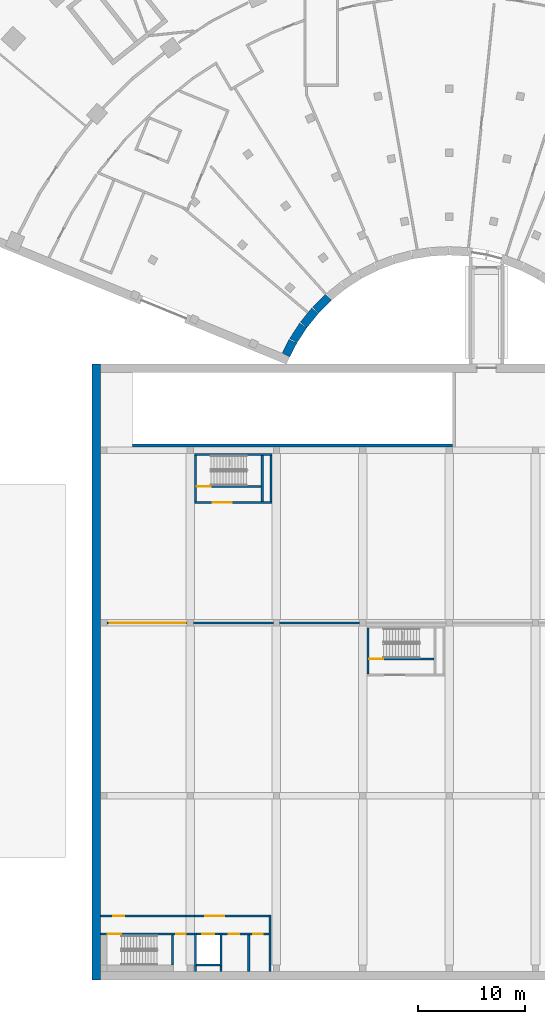
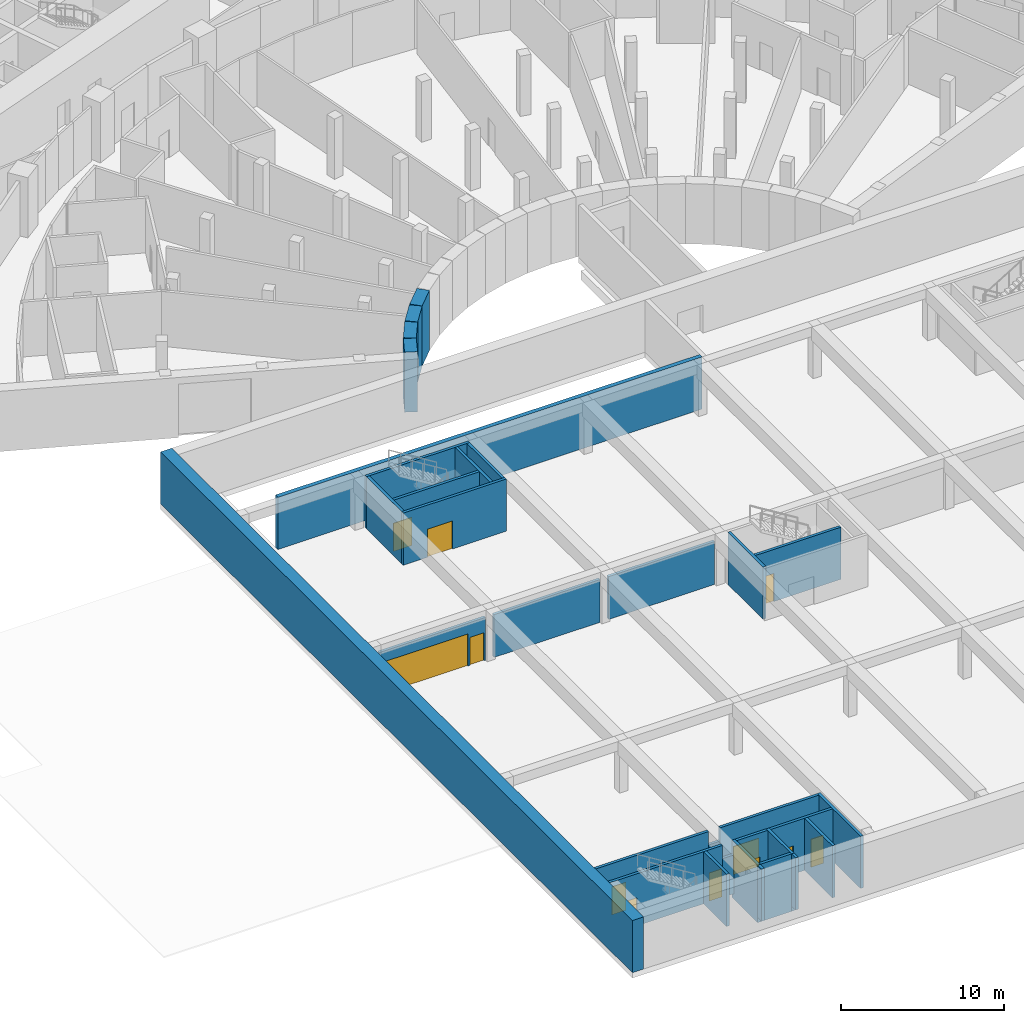
# One storey, part 3 of 23: 32 walls, 12 doors, 12 openings.
"""IFC4 building model written with IfcOpenShell, lengths in metres."""

from ifc_helpers import new_model, si_unit, direction, frame, frame_2d, origin, place, context, subcontext, project, spatial, rectangle, extrude, material, layer, layer_set, type_object, element, fill, save


model = new_model("IFC4")

# Units and contexts
model_context = context("Model", 3, precision=1e-05, world=origin(), true_north=direction((0.0, 1.0)))
body_context = subcontext(model_context, "Body", "Model", "MODEL_VIEW")
ifc_project = project(units=[si_unit("LENGTHUNIT", "METRE"), si_unit("AREAUNIT", "SQUARE_METRE"), si_unit("VOLUMEUNIT", "CUBIC_METRE"), si_unit("PLANEANGLEUNIT", "RADIAN"), si_unit("MASSUNIT", "GRAM", prefix="KILO")], contexts=[model_context])

# Site, building, storey
site_placement = place(None, origin())
site = spatial("IfcSite", under=ifc_project, at=site_placement, CompositionType="ELEMENT")
building_placement = place(site_placement, origin())
building = spatial("IfcBuilding", under=site, at=building_placement, Name="Stone Belt Terrace Tower", CompositionType="ELEMENT")
storey_placement = place(building_placement, frame((0.0, 0.0, -4.5)))
storey = spatial("IfcBuildingStorey", under=building, at=storey_placement, Name="B1", CompositionType="ELEMENT", Elevation=-4.5)

# Walls
ifc_material_1 = material(Name="Concrete B30", Category="concrete")
ifc_layer_1 = layer(ifc_material_1, 0.800048828125)
ifc_layer_set_1 = layer_set([ifc_layer_1], Name="Basement wall 800 B30")
wall_type_1 = type_object("IfcWallType", Name="Basement wall 800 B30", PredefinedType="SHEAR", material=ifc_layer_set_1)
wall_1_placement = place(storey_placement, frame((-15.30029296875, 7.13427734375, 0.0), z_axis=(0.0, 0.0, 1.0), x_axis=(0.450505301603, 0.892773752542, 0.0)))
element("IfcWall", 1, at=wall_1_placement, inside=storey, type_object=wall_type_1, Name="Basement wall B1 1", PredefinedType="SHEAR", context=body_context, shape_type="SweptSolid", body=[
    extrude(rectangle(XDim=1.452392578125, YDim=0.800048828125, at=frame_2d((0.72607421875, 0.0))), origin(), (0.0, 0.0, 1.0), 4.5),
])
wall_2_placement = place(storey_placement, frame((-14.62451171875, 8.468505859375, 0.0), z_axis=(0.0, 0.0, 1.0), x_axis=(0.544739789937, 0.838605128329, 0.0)))
element("IfcWall", 2, at=wall_2_placement, inside=storey, type_object=wall_type_1, Name="Basement wall B1 2", PredefinedType="SHEAR", context=body_context, shape_type="SweptSolid", body=[
    extrude(rectangle(XDim=1.726318359375, YDim=0.800048828125, at=frame_2d((0.86328125, 0.0))), origin(), (0.0, 0.0, 1.0), 4.5),
])
for number, where, z_axis, x_axis, name in (
    (3, (-13.65966796875, 9.9501953125, 0.0), (0.0, 0.0, 1.0), (0.629303947211, 0.777159277127, 0.0), "Basement wall B1 3"),
    (4, (-12.544677734375, 11.323486328125, 0.0), (0.0, 0.0, 1.0), (0.707106781187, 0.707106781187, 0.0), "Basement wall B1 4"),
):
    element("IfcWall", number, at=place(storey_placement, frame(where, z_axis=z_axis, x_axis=x_axis)), inside=storey, type_object=wall_type_1, Name=name, PredefinedType="SHEAR", context=body_context, shape_type="SweptSolid", body=[
        extrude(rectangle(XDim=1.72705078125, YDim=0.800048828125, at=frame_2d((0.863525390625, 0.0))), origin(), (0.0, 0.0, 1.0), 4.5),
    ])
ifc_layer_2 = layer(ifc_material_1, 0.199951171875)
ifc_layer_set_2 = layer_set([ifc_layer_2], Name="Car park core wall 200 variant D")
wall_type_2 = type_object("IfcWallType", Name="Car park core wall 200 variant D", PredefinedType="SOLIDWALL", material=ifc_layer_set_2)
wall_3_placement = place(storey_placement, frame((-25.93994140625, -50.10009765625, 0.0), z_axis=(0.0, 0.0, 1.0), x_axis=(0.0, 1.0, 0.0)))
element("IfcWall", 5, at=wall_3_placement, inside=storey, type_object=wall_type_2, Name="Car park stair 1 wall", PredefinedType="SOLIDWALL", context=body_context, shape_type="SweptSolid", body=[
    extrude(rectangle(XDim=2.800048828125, YDim=0.199951171875, at=frame_2d((1.39990234375, 0.0))), origin(), (0.0, 0.0, 1.0), 3.89990234375),
])

# Wall, openings, doors
wall_4_placement = place(storey_placement, frame((-32.699951171875, -47.199951171875, 0.0), z_axis=(0.0, 0.0, 1.0), x_axis=(1.0, 0.0, 0.0)))
wall_4 = element("IfcWall", 6, at=wall_4_placement, inside=storey, type_object=wall_type_2, Name="Car park core 1 wall", PredefinedType="SOLIDWALL", context=body_context, shape_type="SweptSolid", body=[
    extrude(rectangle(XDim=8.0, YDim=0.199951171875, at=frame_2d((4.0, 0.0))), origin(), (0.0, 0.0, 1.0), 3.89990234375),
])
opening_1_placement = place(wall_4_placement, frame((0.64990234375, 0.0, 0.0)))
opening_1 = element("IfcOpeningElement", 7, at=opening_1_placement, cuts=wall_4, Name="Opening B1-S06", PredefinedType="OPENING", context=body_context, shape_type="SweptSolid", body=[
    extrude(rectangle(XDim=1.300048828125, YDim=2.10009765625, at=frame_2d((0.64990234375, 1.050048828125))), frame((0.0, 0.10986328125, 0.0), z_axis=(0.0, -1.0, 0.0), x_axis=(1.0, 0.0, 0.0)), (0.0, 0.0, 1.0), 0.219970703125),
])
opening_2_placement = place(wall_4_placement, frame((7.10009765625, 0.0, 0.0)))
opening_2 = element("IfcOpeningElement", 8, at=opening_2_placement, cuts=wall_4, Name="Opening B1-S07", PredefinedType="OPENING", context=body_context, shape_type="SweptSolid", body=[
    extrude(rectangle(XDim=0.89990234375, YDim=2.10009765625, at=frame_2d((0.449951171875, 1.050048828125))), frame((0.0, 0.10986328125, 0.0), z_axis=(0.0, -1.0, 0.0), x_axis=(1.0, 0.0, 0.0)), (0.0, 0.0, 1.0), 0.219970703125),
])
ifc_material_2 = material(Name="Steel door leaf", Category="steel")
door_type_1 = type_object("IfcDoorType", Name="Core door 1300 fire rated", OperationType="NOTDEFINED", PredefinedType="DOOR", material=ifc_material_2)
door_1_placement = place(opening_1_placement, origin())
door_1 = element("IfcDoor", 9, at=door_1_placement, inside=storey, type_object=door_type_1, Name="Stair 1 door", OperationType="SINGLE_SWING_LEFT", OverallHeight=2.10009765625, OverallWidth=1.300048828125, PredefinedType="DOOR", context=body_context, shape_type="SweptSolid", body=[
    extrude(rectangle(XDim=1.300048828125, YDim=2.10009765625, at=frame_2d((0.64990234375, 1.050048828125))), frame((0.0, 0.02490234375, 0.0), z_axis=(0.0, -1.0, 0.0), x_axis=(1.0, 0.0, 0.0)), (0.0, 0.0, 1.0), 0.050048828125),
])
fill(opening_1, door_1)
door_type_2 = type_object("IfcDoorType", Name="Core door 900 fire rated", OperationType="NOTDEFINED", PredefinedType="DOOR", material=ifc_material_2)
door_2_placement = place(opening_2_placement, origin())
door_2 = element("IfcDoor", 10, at=door_2_placement, inside=storey, type_object=door_type_2, Name="Riser room 1 door", OperationType="SINGLE_SWING_RIGHT", OverallHeight=2.10009765625, OverallWidth=0.89990234375, PredefinedType="DOOR", context=body_context, shape_type="SweptSolid", body=[
    extrude(rectangle(XDim=0.89990234375, YDim=2.10009765625, at=frame_2d((0.449951171875, 1.050048828125))), frame((0.0, 0.02490234375, 0.0), z_axis=(0.0, -1.0, 0.0), x_axis=(1.0, 0.0, 0.0)), (0.0, 0.0, 1.0), 0.050048828125),
])
fill(opening_2, door_2)

wall_5_placement = place(storey_placement, frame((-21.300048828125, -47.199951171875, 0.0), z_axis=(0.0, 0.0, 1.0), x_axis=(1.0, 0.0, 0.0)))
wall_5 = element("IfcWall", 11, at=wall_5_placement, inside=storey, type_object=wall_type_2, Name="Car park core 1 wall", PredefinedType="SOLIDWALL", context=body_context, shape_type="SweptSolid", body=[
    extrude(rectangle(XDim=4.400146484375, YDim=0.199951171875, at=frame_2d((2.2001953125, 0.0))), origin(), (0.0, 0.0, 1.0), 3.89990234375),
])
opening_3_placement = place(wall_5_placement, frame((0.60009765625, 0.0, 0.0)))
opening_3 = element("IfcOpeningElement", 12, at=opening_3_placement, cuts=wall_5, Name="Opening B1-S09", PredefinedType="OPENING", context=body_context, shape_type="SweptSolid", body=[
    extrude(rectangle(XDim=1.0, YDim=2.10009765625, at=frame_2d((0.5, 1.050048828125))), frame((0.0, 0.10986328125, 0.0), z_axis=(0.0, -1.0, 0.0), x_axis=(1.0, 0.0, 0.0)), (0.0, 0.0, 1.0), 0.219970703125),
])
opening_4_placement = place(wall_5_placement, frame((2.89990234375, 0.0, 0.0)))
opening_4 = element("IfcOpeningElement", 13, at=opening_4_placement, cuts=wall_5, Name="Opening B1-S10", PredefinedType="OPENING", context=body_context, shape_type="SweptSolid", body=[
    extrude(rectangle(XDim=0.89990234375, YDim=2.10009765625, at=frame_2d((0.449951171875, 1.050048828125))), frame((0.0, 0.10986328125, 0.0), z_axis=(0.0, -1.0, 0.0), x_axis=(1.0, 0.0, 0.0)), (0.0, 0.0, 1.0), 0.219970703125),
])
door_type_3 = type_object("IfcDoorType", Name="Core door 1000 fire rated", OperationType="NOTDEFINED", PredefinedType="DOOR", material=ifc_material_2)
door_3_placement = place(opening_3_placement, origin())
door_3 = element("IfcDoor", 14, at=door_3_placement, inside=storey, type_object=door_type_3, Name="Accessible WC 1 door", OperationType="SINGLE_SWING_LEFT", OverallHeight=2.10009765625, OverallWidth=1.0, PredefinedType="DOOR", context=body_context, shape_type="SweptSolid", body=[
    extrude(rectangle(XDim=1.0, YDim=2.10009765625, at=frame_2d((0.5, 1.050048828125))), frame((0.0, 0.02490234375, 0.0), z_axis=(0.0, -1.0, 0.0), x_axis=(1.0, 0.0, 0.0)), (0.0, 0.0, 1.0), 0.050048828125),
])
fill(opening_3, door_3)
door_4_placement = place(opening_4_placement, origin())
door_4 = element("IfcDoor", 15, at=door_4_placement, inside=storey, type_object=door_type_2, Name="Equipment store 1 door", OperationType="SINGLE_SWING_RIGHT", OverallHeight=2.10009765625, OverallWidth=0.89990234375, PredefinedType="DOOR", context=body_context, shape_type="SweptSolid", body=[
    extrude(rectangle(XDim=0.89990234375, YDim=2.10009765625, at=frame_2d((0.449951171875, 1.050048828125))), frame((0.0, 0.02490234375, 0.0), z_axis=(0.0, -1.0, 0.0), x_axis=(1.0, 0.0, 0.0)), (0.0, 0.0, 1.0), 0.050048828125),
])
fill(opening_4, door_4)

# Walls
for number, where, z_axis, x_axis, name in (
    (16, (-23.800048828125, -50.699951171875, 0.0), (0.0, 0.0, 1.0), (0.0, 1.0, 0.0), "Car park core 1 wall"),
    (17, (-21.39990234375, -50.699951171875, 0.0), (0.0, 0.0, 1.0), (0.0, 1.0, 0.0), "Car park core 1 wall"),
):
    element("IfcWall", number, at=place(storey_placement, frame(where, z_axis=z_axis, x_axis=x_axis)), inside=storey, type_object=wall_type_2, Name=name, PredefinedType="SOLIDWALL", context=body_context, shape_type="SweptSolid", body=[
        extrude(rectangle(XDim=0.5, YDim=0.199951171875, at=frame_2d((0.25, 0.0))), origin(), (0.0, 0.0, 1.0), 3.89990234375),
    ])
wall_6_placement = place(storey_placement, frame((-16.800048828125, -50.699951171875, 0.0), z_axis=(0.0, 0.0, 1.0), x_axis=(0.0, 1.0, 0.0)))
element("IfcWall", 18, at=wall_6_placement, inside=storey, type_object=wall_type_2, Name="Car park core 1 wall", PredefinedType="SOLIDWALL", context=body_context, shape_type="SweptSolid", body=[
    extrude(rectangle(XDim=5.300048828125, YDim=0.199951171875, at=frame_2d((2.64990234375, 0.0))), origin(), (0.0, 0.0, 1.0), 3.89990234375),
])

# Wall, opening, door
wall_7_placement = place(storey_placement, frame((-32.699951171875, -45.5, 0.0), z_axis=(0.0, 0.0, 1.0), x_axis=(1.0, 0.0, 0.0)))
wall_7 = element("IfcWall", 19, at=wall_7_placement, inside=storey, type_object=wall_type_2, Name="Car park core 1 front wall", PredefinedType="SOLIDWALL", context=body_context, shape_type="SweptSolid", body=[
    extrude(rectangle(XDim=8.0, YDim=0.199951171875, at=frame_2d((4.0, 0.0))), origin(), (0.0, 0.0, 1.0), 3.89990234375),
])
opening_5_placement = place(wall_7_placement, frame((1.199951171875, 0.0, 0.0)))
opening_5 = element("IfcOpeningElement", 20, at=opening_5_placement, cuts=wall_7, Name="Opening B1-S12", PredefinedType="OPENING", context=body_context, shape_type="SweptSolid", body=[
    extrude(rectangle(XDim=1.0, YDim=2.10009765625, at=frame_2d((0.5, 1.050048828125))), frame((0.0, 0.10986328125, 0.0), z_axis=(0.0, -1.0, 0.0), x_axis=(1.0, 0.0, 0.0)), (0.0, 0.0, 1.0), 0.219970703125),
])
door_5_placement = place(opening_5_placement, origin())
door_5 = element("IfcDoor", 21, at=door_5_placement, inside=storey, type_object=door_type_3, Name="Car park exit 1 door", OperationType="SINGLE_SWING_RIGHT", OverallHeight=2.10009765625, OverallWidth=1.0, PredefinedType="DOOR", context=body_context, shape_type="SweptSolid", body=[
    extrude(rectangle(XDim=1.0, YDim=2.10009765625, at=frame_2d((0.5, 1.050048828125))), frame((0.0, 0.02490234375, 0.0), z_axis=(0.0, -1.0, 0.0), x_axis=(1.0, 0.0, 0.0)), (0.0, 0.0, 1.0), 0.050048828125),
])
fill(opening_5, door_5)

wall_8_placement = place(storey_placement, frame((-23.89990234375, -45.5, 0.0), z_axis=(0.0, 0.0, 1.0), x_axis=(1.0, 0.0, 0.0)))
wall_8 = element("IfcWall", 22, at=wall_8_placement, inside=storey, type_object=wall_type_2, Name="Car park core 1 front wall", PredefinedType="SOLIDWALL", context=body_context, shape_type="SweptSolid", body=[
    extrude(rectangle(XDim=7.0, YDim=0.199951171875, at=frame_2d((3.5, 0.0))), origin(), (0.0, 0.0, 1.0), 3.89990234375),
])
opening_6_placement = place(wall_8_placement, frame((1.0, 0.0, 0.0)))
opening_6 = element("IfcOpeningElement", 23, at=opening_6_placement, cuts=wall_8, Name="Opening B1-S11", PredefinedType="OPENING", context=body_context, shape_type="SweptSolid", body=[
    extrude(rectangle(XDim=1.800048828125, YDim=2.10009765625, at=frame_2d((0.89990234375, 1.050048828125))), frame((0.0, 0.10986328125, 0.0), z_axis=(0.0, -1.0, 0.0), x_axis=(1.0, 0.0, 0.0)), (0.0, 0.0, 1.0), 0.219970703125),
])
door_type_4 = type_object("IfcDoorType", Name="Core door pair 1800 fire rated", OperationType="DOUBLE_DOOR_DOUBLE_SWING", PredefinedType="DOOR", material=ifc_material_2)
door_6_placement = place(opening_6_placement, origin())
door_6 = element("IfcDoor", 24, at=door_6_placement, inside=storey, type_object=door_type_4, Name="Car park lobby 1 door", OperationType="SINGLE_SWING_LEFT", OverallHeight=2.10009765625, OverallWidth=1.800048828125, PredefinedType="DOOR", context=body_context, shape_type="SweptSolid", body=[
    extrude(rectangle(XDim=1.800048828125, YDim=2.10009765625, at=frame_2d((0.89990234375, 1.050048828125))), frame((0.0, 0.02490234375, 0.0), z_axis=(0.0, -1.0, 0.0), x_axis=(1.0, 0.0, 0.0)), (0.0, 0.0, 1.0), 0.050048828125),
])
fill(opening_6, door_6)

wall_9_placement = place(storey_placement, frame((-23.89990234375, -6.699951171875, 0.0), z_axis=(0.0, 0.0, 1.0), x_axis=(1.0, 0.0, 0.0)))
wall_9 = element("IfcWall", 25, at=wall_9_placement, inside=storey, type_object=wall_type_2, Name="Car park stair 3 front wall", PredefinedType="SOLIDWALL", context=body_context, shape_type="SweptSolid", body=[
    extrude(rectangle(XDim=7.2998046875, YDim=0.199951171875, at=frame_2d((3.64990234375, 0.0))), origin(), (0.0, 0.0, 1.0), 3.89990234375),
])
opening_7_placement = place(wall_9_placement, frame((1.699951171875, 0.0, 0.0)))
opening_7 = element("IfcOpeningElement", 26, at=opening_7_placement, cuts=wall_9, Name="Opening B1-S21", PredefinedType="OPENING", context=body_context, shape_type="SweptSolid", body=[
    extrude(rectangle(XDim=1.800048828125, YDim=2.10009765625, at=frame_2d((0.89990234375, 1.050048828125))), frame((0.0, 0.10986328125, 0.0), z_axis=(0.0, -1.0, 0.0), x_axis=(1.0, 0.0, 0.0)), (0.0, 0.0, 1.0), 0.219970703125),
])
door_7_placement = place(opening_7_placement, origin())
door_7 = element("IfcDoor", 27, at=door_7_placement, inside=storey, type_object=door_type_4, Name="Car park stair 3 vestibule door", OperationType="SINGLE_SWING_LEFT", OverallHeight=2.10009765625, OverallWidth=1.800048828125, PredefinedType="DOOR", context=body_context, shape_type="SweptSolid", body=[
    extrude(rectangle(XDim=1.800048828125, YDim=2.10009765625, at=frame_2d((0.89990234375, 1.050048828125))), frame((0.0, 0.02490234375, 0.0), z_axis=(0.0, -1.0, 0.0), x_axis=(1.0, 0.0, 0.0)), (0.0, 0.0, 1.0), 0.050048828125),
])
fill(opening_7, door_7)

# Walls
for number, where, z_axis, x_axis, name in (
    (28, (-23.800048828125, -6.60009765625, 0.0), (0.0, 0.0, 1.0), (0.0, 1.0, 0.0), "Car park stair 3 wall"),
    (29, (-17.5400390625, -6.60009765625, 0.0), (0.0, 0.0, 1.0), (0.0, 1.0, 0.0), "Car park stair 3 wall"),
):
    element("IfcWall", number, at=place(storey_placement, frame(where, z_axis=z_axis, x_axis=x_axis)), inside=storey, type_object=wall_type_2, Name=name, PredefinedType="SOLIDWALL", context=body_context, shape_type="SweptSolid", body=[
        extrude(rectangle(XDim=4.300048828125, YDim=0.199951171875, at=frame_2d((2.14990234375, 0.0))), origin(), (0.0, 0.0, 1.0), 3.89990234375),
    ])
wall_10_placement = place(storey_placement, frame((-23.89990234375, -2.199951171875, 0.0), z_axis=(0.0, 0.0, 1.0), x_axis=(1.0, 0.0, 0.0)))
element("IfcWall", 30, at=wall_10_placement, inside=storey, type_object=wall_type_2, Name="Car park stair 3 wall", PredefinedType="SOLIDWALL", context=body_context, shape_type="SweptSolid", body=[
    extrude(rectangle(XDim=7.2998046875, YDim=0.199951171875, at=frame_2d((3.64990234375, 0.0))), origin(), (0.0, 0.0, 1.0), 3.89990234375),
])
wall_11_placement = place(storey_placement, frame((-16.699951171875, -6.60009765625, 0.0), z_axis=(0.0, 0.0, 1.0), x_axis=(0.0, 1.0, 0.0)))
element("IfcWall", 31, at=wall_11_placement, inside=storey, type_object=wall_type_2, Name="Car park stair 3 wall", PredefinedType="SOLIDWALL", context=body_context, shape_type="SweptSolid", body=[
    extrude(rectangle(XDim=4.300048828125, YDim=0.199951171875, at=frame_2d((2.14990234375, 0.0))), origin(), (0.0, 0.0, 1.0), 3.89990234375),
])

# Wall, opening, door
wall_12_placement = place(storey_placement, frame((-23.699951171875, -5.199951171875, 0.0), z_axis=(0.0, 0.0, 1.0), x_axis=(1.0, 0.0, 0.0)))
wall_12 = element("IfcWall", 32, at=wall_12_placement, inside=storey, type_object=wall_type_2, Name="Car park stair 3 vestibule wall", PredefinedType="SOLIDWALL", context=body_context, shape_type="SweptSolid", body=[
    extrude(rectangle(XDim=6.06005859375, YDim=0.199951171875, at=frame_2d((3.030029296875, 0.0))), origin(), (0.0, 0.0, 1.0), 3.89990234375),
])
opening_8_placement = place(wall_12_placement, frame((0.02490234375, 0.0, 0.0)))
opening_8 = element("IfcOpeningElement", 33, at=opening_8_placement, cuts=wall_12, Name="Opening B1-S20", PredefinedType="OPENING", context=body_context, shape_type="SweptSolid", body=[
    extrude(rectangle(XDim=1.300048828125, YDim=2.10009765625, at=frame_2d((0.64990234375, 1.050048828125))), frame((0.0, 0.10986328125, 0.0), z_axis=(0.0, -1.0, 0.0), x_axis=(1.0, 0.0, 0.0)), (0.0, 0.0, 1.0), 0.219970703125),
])
door_8_placement = place(opening_8_placement, origin())
door_8 = element("IfcDoor", 34, at=door_8_placement, inside=storey, type_object=door_type_1, Name="Stair 3 door", OperationType="SINGLE_SWING_LEFT", OverallHeight=2.10009765625, OverallWidth=1.300048828125, PredefinedType="DOOR", context=body_context, shape_type="SweptSolid", body=[
    extrude(rectangle(XDim=1.300048828125, YDim=2.10009765625, at=frame_2d((0.64990234375, 1.050048828125))), frame((0.0, 0.02490234375, 0.0), z_axis=(0.0, -1.0, 0.0), x_axis=(1.0, 0.0, 0.0)), (0.0, 0.0, 1.0), 0.050048828125),
])
fill(opening_8, door_8)

# Wall
wall_13_placement = place(storey_placement, frame((-7.60009765625, -22.800048828125, 0.0), z_axis=(0.0, 0.0, 1.0), x_axis=(0.0, 1.0, 0.0)))
element("IfcWall", 35, at=wall_13_placement, inside=storey, type_object=wall_type_2, Name="Car park stair 5 wall", PredefinedType="SOLIDWALL", context=body_context, shape_type="SweptSolid", body=[
    extrude(rectangle(XDim=4.300048828125, YDim=0.199951171875, at=frame_2d((2.14990234375, 0.0))), origin(), (0.0, 0.0, 1.0), 3.89990234375),
])

# Wall, opening, door
wall_14_placement = place(storey_placement, frame((-7.5, -21.39990234375, 0.0), z_axis=(0.0, 0.0, 1.0), x_axis=(1.0, 0.0, 0.0)))
wall_14 = element("IfcWall", 36, at=wall_14_placement, inside=storey, type_object=wall_type_2, Name="Car park stair 5 vestibule wall", PredefinedType="SOLIDWALL", context=body_context, shape_type="SweptSolid", body=[
    extrude(rectangle(XDim=6.06005859375, YDim=0.199951171875, at=frame_2d((3.030029296875, 0.0))), origin(), (0.0, 0.0, 1.0), 3.89990234375),
])
opening_9_placement = place(wall_14_placement, frame((0.02490234375, 0.0, 0.0)))
opening_9 = element("IfcOpeningElement", 37, at=opening_9_placement, cuts=wall_14, Name="Opening B1-S24", PredefinedType="OPENING", context=body_context, shape_type="SweptSolid", body=[
    extrude(rectangle(XDim=1.300048828125, YDim=2.10009765625, at=frame_2d((0.64990234375, 1.050048828125))), frame((0.0, 0.10986328125, 0.0), z_axis=(0.0, -1.0, 0.0), x_axis=(1.0, 0.0, 0.0)), (0.0, 0.0, 1.0), 0.219970703125),
])
door_9_placement = place(opening_9_placement, origin())
door_9 = element("IfcDoor", 38, at=door_9_placement, inside=storey, type_object=door_type_1, Name="Stair 5 door", OperationType="SINGLE_SWING_LEFT", OverallHeight=2.10009765625, OverallWidth=1.300048828125, PredefinedType="DOOR", context=body_context, shape_type="SweptSolid", body=[
    extrude(rectangle(XDim=1.300048828125, YDim=2.10009765625, at=frame_2d((0.64990234375, 1.050048828125))), frame((0.0, 0.02490234375, 0.0), z_axis=(0.0, -1.0, 0.0), x_axis=(1.0, 0.0, 0.0)), (0.0, 0.0, 1.0), 0.050048828125),
])
fill(opening_9, door_9)

# Walls
ifc_layer_3 = layer(ifc_material_1, 0.199951171875)
ifc_layer_set_3 = layer_set([ifc_layer_3], Name="Car park core wall 200 variant E")
wall_type_3 = type_object("IfcWallType", Name="Car park core wall 200 variant E", PredefinedType="SOLIDWALL", material=ifc_layer_set_3)
for number, where, z_axis, x_axis, name in (
    (39, (-24.699951171875, -47.199951171875, 0.0), (0.0, 0.0, 1.0), (1.0, 0.0, 0.0), "Car park core 1 wall"),
    (40, (-24.699951171875, -45.5, 0.0), (0.0, 0.0, 1.0), (1.0, 0.0, 0.0), "Car park core 1 front wall"),
):
    element("IfcWall", number, at=place(storey_placement, frame(where, z_axis=z_axis, x_axis=x_axis)), inside=storey, type_object=wall_type_3, Name=name, PredefinedType="SOLIDWALL", context=body_context, shape_type="SweptSolid", body=[
        extrude(rectangle(XDim=0.800048828125, YDim=0.199951171875, at=frame_2d((0.39990234375, 0.0))), origin(), (0.0, 0.0, 1.0), 2.89990234375),
    ])

# Wall, opening, door
ifc_layer_4 = layer(ifc_material_1, 0.199951171875)
ifc_layer_set_4 = layer_set([ifc_layer_4], Name="Car park core wall 200 variant F")
wall_type_4 = type_object("IfcWallType", Name="Car park core wall 200 variant F", PredefinedType="SOLIDWALL", material=ifc_layer_set_4)
wall_15_placement = place(storey_placement, frame((-23.699951171875, -47.199951171875, -0.39990234375), z_axis=(0.0, 0.0, 1.0), x_axis=(1.0, 0.0, 0.0)))
wall_15 = element("IfcWall", 41, at=wall_15_placement, inside=storey, type_object=wall_type_4, Name="Car park lift 1 shaft wall", PredefinedType="SOLIDWALL", context=body_context, shape_type="SweptSolid", body=[
    extrude(rectangle(XDim=2.199951171875, YDim=0.199951171875, at=frame_2d((1.10009765625, 0.0))), origin(), (0.0, 0.0, 1.0), 4.2998046875),
])
opening_10_placement = place(wall_15_placement, frame((0.550048828125, 0.0, 0.39990234375)))
opening_10 = element("IfcOpeningElement", 42, at=opening_10_placement, cuts=wall_15, Name="Opening B1-S08", PredefinedType="OPENING", context=body_context, shape_type="SweptSolid", body=[
    extrude(rectangle(XDim=1.10009765625, YDim=2.10009765625, at=frame_2d((0.550048828125, 1.050048828125))), frame((0.0, 0.10986328125, 0.0), z_axis=(0.0, -1.0, 0.0), x_axis=(1.0, 0.0, 0.0)), (0.0, 0.0, 1.0), 0.219970703125),
])
ifc_material_3 = material(Name="Stainless steel", Category="steel")
door_type_5 = type_object("IfcDoorType", Name="Lift landing door 1100", OperationType="SLIDING_TO_LEFT", PredefinedType="DOOR", material=ifc_material_3)
door_10_placement = place(opening_10_placement, origin())
door_10 = element("IfcDoor", 43, at=door_10_placement, inside=storey, type_object=door_type_5, Name="Lift 1 landing door", OperationType="SLIDING_TO_LEFT", OverallHeight=2.10009765625, OverallWidth=1.10009765625, PredefinedType="DOOR", context=body_context, shape_type="SweptSolid", body=[
    extrude(rectangle(XDim=1.10009765625, YDim=2.10009765625, at=frame_2d((0.550048828125, 1.050048828125))), frame((0.0, 0.02490234375, 0.0), z_axis=(0.0, -1.0, 0.0), x_axis=(1.0, 0.0, 0.0)), (0.0, 0.0, 1.0), 0.050048828125),
])
fill(opening_10, door_10)

# Walls
for number, where, z_axis, x_axis, name in (
    (44, (-23.800048828125, -50.199951171875, -0.39990234375), (0.0, 0.0, 1.0), (0.0, 1.0, 0.0), "Car park lift 1 shaft wall"),
    (45, (-21.39990234375, -50.199951171875, -0.39990234375), (0.0, 0.0, 1.0), (0.0, 1.0, 0.0), "Car park lift 1 shaft wall"),
):
    element("IfcWall", number, at=place(storey_placement, frame(where, z_axis=z_axis, x_axis=x_axis)), inside=storey, type_object=wall_type_4, Name=name, PredefinedType="SOLIDWALL", context=body_context, shape_type="SweptSolid", body=[
        extrude(rectangle(XDim=3.099853515625, YDim=0.199951171875, at=frame_2d((1.5498046875, 0.0))), origin(), (0.0, 0.0, 1.0), 4.2998046875),
    ])
wall_16_placement = place(storey_placement, frame((-23.699951171875, -50.10009765625, -0.39990234375), z_axis=(0.0, 0.0, 1.0), x_axis=(1.0, 0.0, 0.0)))
element("IfcWall", 46, at=wall_16_placement, inside=storey, type_object=wall_type_4, Name="Car park lift 1 shaft wall", PredefinedType="SOLIDWALL", context=body_context, shape_type="SweptSolid", body=[
    extrude(rectangle(XDim=2.199951171875, YDim=0.199951171875, at=frame_2d((1.10009765625, 0.0))), origin(), (0.0, 0.0, 1.0), 4.2998046875),
])
ifc_material_4 = material(Name="Blockwork", Category="masonry")
ifc_layer_5 = layer(ifc_material_4, 0.199951171875)
ifc_layer_set_5 = layer_set([ifc_layer_5], Name="Car park partition 200 variant A")
wall_type_5 = type_object("IfcWallType", Name="Car park partition 200 variant A", PredefinedType="PARTITIONING", material=ifc_layer_set_5)
wall_17_placement = place(storey_placement, frame((-18.800048828125, -50.699951171875, 0.0), z_axis=(0.0, 0.0, 1.0), x_axis=(0.0, 1.0, 0.0)))
element("IfcWall", 47, at=wall_17_placement, inside=storey, type_object=wall_type_5, Name="Car park core 1 partition", PredefinedType="PARTITIONING", context=body_context, shape_type="SweptSolid", body=[
    extrude(rectangle(XDim=3.39990234375, YDim=0.199951171875, at=frame_2d((1.699951171875, 0.0))), origin(), (0.0, 0.0, 1.0), 3.89990234375),
])
ifc_layer_6 = layer(ifc_material_1, 0.300048828125)
ifc_layer_set_6 = layer_set([ifc_layer_6], Name="Car park ramp wall 300 variant A")
wall_type_6 = type_object("IfcWallType", Name="Car park ramp wall 300 variant A", PredefinedType="SOLIDWALL", material=ifc_layer_set_6)
wall_18_placement = place(storey_placement, frame((-29.699951171875, -1.35009765625, 0.0), z_axis=(0.0, 0.0, 1.0), x_axis=(1.0, 0.0, 0.0)))
element("IfcWall", 48, at=wall_18_placement, inside=storey, type_object=wall_type_6, Name="Car park ramp wall", PredefinedType="SOLIDWALL", context=body_context, shape_type="SweptSolid", body=[
    extrude(rectangle(XDim=30.0, YDim=0.300048828125, at=frame_2d((15.0, 0.0))), origin(), (0.0, 0.0, 1.0), 3.89990234375),
])
ifc_layer_7 = layer(ifc_material_1, 0.800048828125)
ifc_layer_set_7 = layer_set([ifc_layer_7], Name="Car park retaining wall 800 variant A")
wall_type_7 = type_object("IfcWallType", Name="Car park retaining wall 800 variant A", PredefinedType="SOLIDWALL", material=ifc_layer_set_7)
wall_19_placement = place(storey_placement, frame((-33.10009765625, -51.5, 0.0), z_axis=(0.0, 0.0, 1.0), x_axis=(0.0, 1.0, 0.0)))
element("IfcWall", 49, at=wall_19_placement, inside=storey, type_object=wall_type_7, Name="Car park retaining wall west", PredefinedType="SOLIDWALL", context=body_context, shape_type="SweptSolid", body=[
    extrude(rectangle(XDim=57.800048828125, YDim=0.800048828125, at=frame_2d((28.89990234375, 0.0))), origin(), (0.0, 0.0, 1.0), 3.89990234375),
])

# Wall, openings, doors
ifc_layer_8 = layer(ifc_material_1, 0.199951171875)
ifc_layer_set_8 = layer_set([ifc_layer_8], Name="Compartment wall 200 variant A")
wall_type_8 = type_object("IfcWallType", Name="Compartment wall 200 variant A", PredefinedType="SOLIDWALL", material=ifc_layer_set_8)
wall_20_placement = place(storey_placement, frame((-32.10009765625, -18.0, 0.0), z_axis=(0.0, 0.0, 1.0), x_axis=(1.0, 0.0, 0.0)))
wall_20 = element("IfcWall", 50, at=wall_20_placement, inside=storey, type_object=wall_type_8, Name="Compartment wall B1 1", PredefinedType="SOLIDWALL", context=body_context, shape_type="SweptSolid", body=[
    extrude(rectangle(XDim=7.5, YDim=0.199951171875, at=frame_2d((3.75, 0.0))), origin(), (0.0, 0.0, 1.0), 3.199951171875),
])
opening_11_placement = place(wall_20_placement, frame((0.25, 0.0, 0.0)))
opening_11 = element("IfcOpeningElement", 51, at=opening_11_placement, cuts=wall_20, Name="Opening B1-S02", PredefinedType="OPENING", context=body_context, shape_type="SweptSolid", body=[
    extrude(rectangle(XDim=6.0, YDim=2.39990234375, at=frame_2d((3.0, 1.199951171875))), frame((0.0, 0.10986328125, 0.0), z_axis=(0.0, -1.0, 0.0), x_axis=(1.0, 0.0, 0.0)), (0.0, 0.0, 1.0), 0.219970703125),
])
opening_12_placement = place(wall_20_placement, frame((6.39990234375, 0.0, 0.0)))
opening_12 = element("IfcOpeningElement", 52, at=opening_12_placement, cuts=wall_20, Name="Opening B1-S03", PredefinedType="OPENING", context=body_context, shape_type="SweptSolid", body=[
    extrude(rectangle(XDim=1.0, YDim=2.10009765625, at=frame_2d((0.5, 1.050048828125))), frame((0.0, 0.10986328125, 0.0), z_axis=(0.0, -1.0, 0.0), x_axis=(1.0, 0.0, 0.0)), (0.0, 0.0, 1.0), 0.219970703125),
])
door_type_6 = type_object("IfcDoorType", Name="Compartment fire door 1000", OperationType="NOTDEFINED", PredefinedType="DOOR", material=ifc_material_2)
door_11_placement = place(opening_12_placement, origin())
door_11 = element("IfcDoor", 53, at=door_11_placement, inside=storey, type_object=door_type_6, Name="Compartment fire door B1 west", OperationType="SINGLE_SWING_LEFT", OverallHeight=2.10009765625, OverallWidth=1.0, PredefinedType="DOOR", context=body_context, shape_type="SweptSolid", body=[
    extrude(rectangle(XDim=1.0, YDim=2.10009765625, at=frame_2d((0.5, 1.050048828125))), frame((0.0, 0.02490234375, 0.0), z_axis=(0.0, -1.0, 0.0), x_axis=(1.0, 0.0, 0.0)), (0.0, 0.0, 1.0), 0.050048828125),
])
fill(opening_12, door_11)
ifc_material_5 = material(Name="Steel fire shutter", Category="steel")
door_type_7 = type_object("IfcDoorType", Name="Compartment shutter 6000", OperationType="ROLLINGUP", PredefinedType="DOOR", material=ifc_material_5)
door_12_placement = place(opening_11_placement, origin())
door_12 = element("IfcDoor", 54, at=door_12_placement, inside=storey, type_object=door_type_7, Name="Compartment shutter B1 west", OperationType="ROLLINGUP", OverallHeight=2.39990234375, OverallWidth=6.0, PredefinedType="DOOR", context=body_context, shape_type="SweptSolid", body=[
    extrude(rectangle(XDim=6.0, YDim=2.39990234375, at=frame_2d((3.0, 1.199951171875))), frame((0.0, 0.02490234375, 0.0), z_axis=(0.0, -1.0, 0.0), x_axis=(1.0, 0.0, 0.0)), (0.0, 0.0, 1.0), 0.050048828125),
])
fill(opening_11, door_12)

# Walls
for number, where, z_axis, x_axis, name in (
    (55, (-24.0, -18.0, 0.0), (0.0, 0.0, 1.0), (1.0, 0.0, 0.0), "Compartment wall B1 2"),
    (56, (-15.89990234375, -18.0, 0.0), (0.0, 0.0, 1.0), (1.0, 0.0, 0.0), "Compartment wall B1 3"),
):
    element("IfcWall", number, at=place(storey_placement, frame(where, z_axis=z_axis, x_axis=x_axis)), inside=storey, type_object=wall_type_8, Name=name, PredefinedType="SOLIDWALL", context=body_context, shape_type="SweptSolid", body=[
        extrude(rectangle(XDim=7.5, YDim=0.199951171875, at=frame_2d((3.75, 0.0))), origin(), (0.0, 0.0, 1.0), 3.199951171875),
    ])

save(model, "model.ifc")
